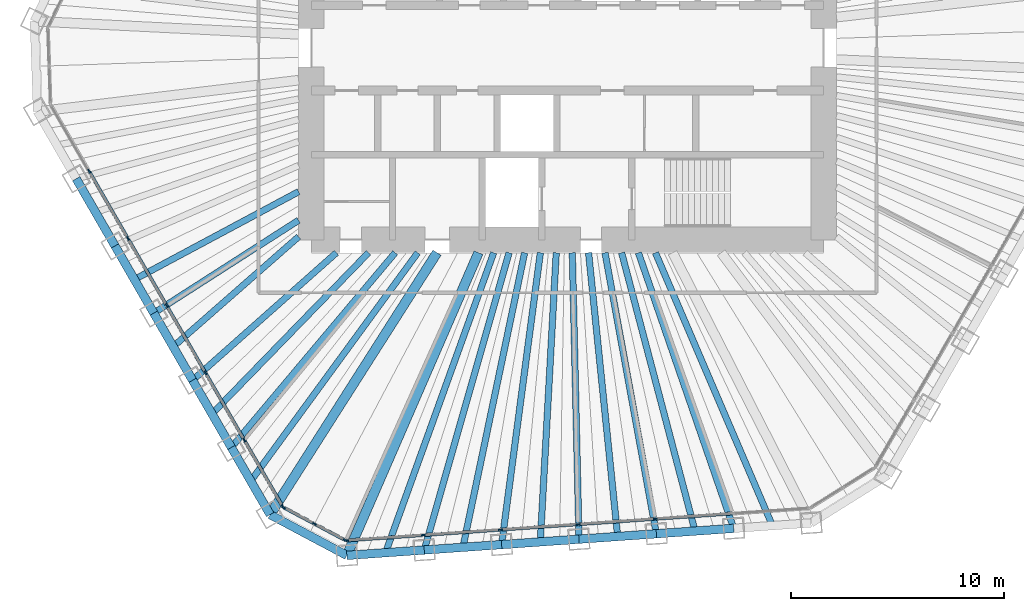
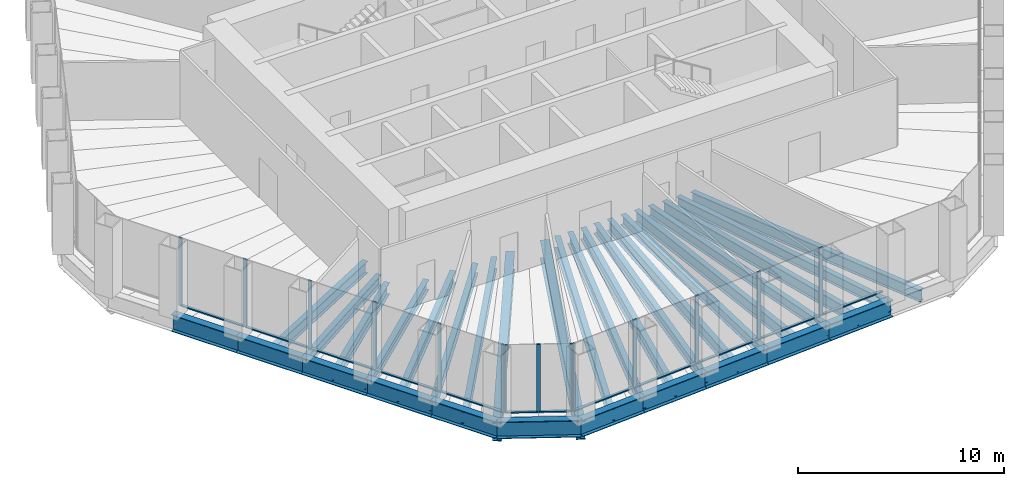
# One storey, part 2 of 13: 31 beams, 26 members, 3 elements without a shape of their own.
"""IFC4 building model written with IfcOpenShell, lengths in metres."""

import ifcopenshell
import ifcopenshell.guid

model = None  # the IFC model being written
_history = None  # IfcOwnerHistory: only IFC2X3 demands one
_inside = {}  # id of a spatial element -> (the spatial element, [elements in it])
_under = {}  # id of a project, library or spatial element -> (it, [spatial elements below it])
_declared = {}  # id of a project -> (the project, [libraries it declares])
_typed = {}  # id of a type object -> (the type object, [elements of that type])
_made_of = {}  # id of a material, layer set ... -> (it, [elements and type objects made of it])


def new_model(schema):
    """Start an empty IFC model of exactly this schema.

    Asked for "IFC4X3", IfcOpenShell would pick the latest addendum, in which some entities
    have other attributes; the version numbers below select the first issue.
    IFC2X3 requires an IfcOwnerHistory on every rooted entity: one is made here for all.
    """
    global model, _history
    if schema == "IFC4X3":
        model = ifcopenshell.file(schema_version=(4, 3, 0, 0))
    else:
        model = ifcopenshell.file(schema=schema)
    _inside.clear()
    _under.clear()
    _declared.clear()
    _typed.clear()
    _made_of.clear()
    _history = None
    if model.schema == "IFC2X3":
        org = make("IfcOrganization", Name="unknown")
        user = make(
            "IfcPersonAndOrganization",
            ThePerson=make("IfcPerson", FamilyName="unknown"),
            TheOrganization=org,
        )
        app = make(
            "IfcApplication",
            ApplicationDeveloper=org,
            Version="unknown",
            ApplicationFullName="unknown",
            ApplicationIdentifier="unknown",
        )
        _history = make(
            "IfcOwnerHistory",
            OwningUser=user,
            OwningApplication=app,
            ChangeAction="ADDED",
            CreationDate=0,
        )
    return model


def make(cls, **values):
    """One entity of the class cls with the attributes given. An attribute that is None is left unset."""
    return model.create_entity(
        cls, **{name: value for name, value in values.items() if value is not None}
    )


def rooted(cls, **values):
    """An entity with a GlobalId (a new one), such as an element, a storey or a relation."""
    return make(cls, GlobalId=ifcopenshell.guid.new(), OwnerHistory=_history, **values)


def si_unit(unit_type, name, prefix=None):
    """IfcSIUnit, for example si_unit("LENGTHUNIT", "METRE", prefix="MILLI")."""
    return make("IfcSIUnit", UnitType=unit_type, Prefix=prefix, Name=name)


def assignment(units):
    """IfcUnitAssignment: the units of a project."""
    return None if units is None else make("IfcUnitAssignment", Units=units)


def point(xyz):
    """IfcCartesianPoint."""
    return None if xyz is None else make("IfcCartesianPoint", Coordinates=xyz)


def direction(xyz):
    """IfcDirection."""
    return None if xyz is None else make("IfcDirection", DirectionRatios=xyz)


def frame(location, z_axis=None, x_axis=None):
    """IfcAxis2Placement3D, a coordinate frame: its origin and axes. An axis left out is left unset."""
    return make(
        "IfcAxis2Placement3D",
        Location=point(location),
        Axis=direction(z_axis),
        RefDirection=direction(x_axis),
    )


def frame_2d(location, x_axis=None):
    """IfcAxis2Placement2D, a coordinate frame in the plane: its origin and x axis."""
    return make(
        "IfcAxis2Placement2D", Location=point(location), RefDirection=direction(x_axis)
    )


def origin():
    """The frame at (0, 0, 0) with its axes left unset."""
    return frame((0.0, 0.0, 0.0))


def origin_2d():
    """The frame at (0, 0) in the plane with its x axis left unset."""
    return frame_2d((0.0, 0.0))


def place(relative_to, where):
    """IfcLocalPlacement: puts the frame where relative to a parent placement (None: the world)."""
    return make(
        "IfcLocalPlacement", PlacementRelTo=relative_to, RelativePlacement=where
    )


def context(
    kind, dimensions, precision=None, world=None, true_north=None, identifier=None
):
    """IfcGeometricRepresentationContext, for example the 3D "Model" context."""
    return make(
        "IfcGeometricRepresentationContext",
        ContextIdentifier=identifier,
        ContextType=kind,
        CoordinateSpaceDimension=dimensions,
        Precision=precision,
        WorldCoordinateSystem=world,
        TrueNorth=true_north,
    )


def subcontext(parent, identifier, kind, view, scale=None):
    """IfcGeometricRepresentationSubContext, for example "Body" below "Model"."""
    return make(
        "IfcGeometricRepresentationSubContext",
        ContextIdentifier=identifier,
        ContextType=kind,
        ParentContext=parent,
        TargetScale=scale,
        TargetView=view,
    )


def project(units=None, contexts=None):
    """IfcProject with its units and contexts."""
    return rooted(
        "IfcProject",
        Name="project",
        RepresentationContexts=contexts,
        UnitsInContext=assignment(units),
    )


def spatial(cls, under=None, at=None, **own):
    """A site, building, storey or space (cls), placed at a placement, below another one or the project."""
    s = rooted(cls, ObjectPlacement=at, **own)
    if under is not None:
        _under.setdefault(under.id(), (under, []))[1].append(s)
    return s


def profile(cls, at=None, kind="AREA", **sizes):
    """A parametric profile (cls). Its sizes go by their IFC names, for example OverallWidth=200.0."""
    return make(cls, ProfileType=kind, Position=at, **sizes)


def rectangle(**sizes):
    """IfcRectangleProfileDef."""
    return profile("IfcRectangleProfileDef", **sizes)


def i_section(**sizes):
    """IfcIShapeProfileDef."""
    return profile("IfcIShapeProfileDef", **sizes)


def extrude(swept, where, along, depth):
    """IfcExtrudedAreaSolid: the profile swept, set in the frame where, extruded along a direction by depth."""
    return make(
        "IfcExtrudedAreaSolid",
        SweptArea=swept,
        Position=where,
        ExtrudedDirection=direction(along),
        Depth=depth,
    )


def shape(context_of_items, identifier, shape_type, items):
    """IfcShapeRepresentation: the items that make up one representation, for example the "Body"."""
    return make(
        "IfcShapeRepresentation",
        ContextOfItems=context_of_items,
        RepresentationIdentifier=identifier,
        RepresentationType=shape_type,
        Items=items,
    )


def material(Name=None, Category=None):
    """IfcMaterial."""
    return make("IfcMaterial", Name=Name, Category=Category)


def material_profile(
    of_material, cross_section, Name=None, Category=None, Priority=None
):
    """IfcMaterialProfile: a cross section and its material."""
    return make(
        "IfcMaterialProfile",
        Name=Name,
        Material=of_material,
        Profile=cross_section,
        Priority=Priority,
        Category=Category,
    )


def profile_set(profiles, Name=None, composite=None):
    """IfcMaterialProfileSet."""
    return make(
        "IfcMaterialProfileSet",
        Name=Name,
        MaterialProfiles=profiles,
        CompositeProfile=composite,
    )


def made_of(thing, what):
    """Note that an element or type object is made of a material, layer set ...; save() writes the relation."""
    if what is not None:
        _made_of.setdefault(what.id(), (what, []))[1].append(thing)
    return thing


def type_object(cls, material=None, **own):
    """A type object (cls), such as IfcWallType, which elements share."""
    return made_of(rooted(cls, **own), material)


def element(
    cls,
    number,
    at=None,
    inside=None,
    cuts=None,
    type_object=None,
    material=None,
    context=None,
    identifier="Body",
    shape_type=None,
    held_by="IfcProductDefinitionShape",
    body=None,
    shapes=None,
    **own,
):
    """One element of the class cls, such as IfcWall. Its Tag is "e" and its number.

    at: its placement. inside: the storey or other place that contains it. cuts: it is an
    opening in that element (IfcRelVoidsElement). A single representation is given by context,
    identifier, shape_type and body (its items); several are given by shapes. held_by: the class
    of the entity that holds the representations. save() writes the other relations.
    """
    e = rooted(cls, Tag="e%d" % number, ObjectPlacement=at, **own)
    if body is not None:
        shapes = [shape(context, identifier, shape_type, body)]
    if shapes is not None:
        e.Representation = make(held_by, Representations=shapes)
    if inside is not None:
        _inside.setdefault(inside.id(), (inside, []))[1].append(e)
    if cuts is not None:
        rooted(
            "IfcRelVoidsElement", RelatingBuildingElement=cuts, RelatedOpeningElement=e
        )
    if type_object is not None:
        _typed.setdefault(type_object.id(), (type_object, []))[1].append(e)
    return made_of(e, material)


def aggregate(whole, parts):
    """IfcRelAggregates: a whole, such as a stair, and the parts it consists of."""
    return rooted("IfcRelAggregates", RelatingObject=whole, RelatedObjects=parts)


def save(model, path):
    """Write the relations noted so far, then the file.

    IfcRelAggregates (storeys below a building ...), IfcRelContainedInSpatialStructure (elements
    in a storey), IfcRelDefinesByType, IfcRelAssociatesMaterial and IfcRelDeclares: one each for
    every whole, place, type object, material and project.
    """
    for whole, parts in _under.values():
        aggregate(whole, parts)
    for where, things in _inside.values():
        rooted(
            "IfcRelContainedInSpatialStructure",
            RelatedElements=things,
            RelatingStructure=where,
        )
    for kind, things in _typed.values():
        rooted("IfcRelDefinesByType", RelatedObjects=things, RelatingType=kind)
    for what, things in _made_of.values():
        rooted("IfcRelAssociatesMaterial", RelatedObjects=things, RelatingMaterial=what)
    for by, libraries in _declared.values():
        rooted("IfcRelDeclares", RelatingContext=by, RelatedDefinitions=libraries)
    model.write(path)


model = new_model("IFC4")

# Units and contexts
model_context = context("Model", 3, precision=1e-05, world=origin(), true_north=direction((0.0, 1.0)))
body_context = subcontext(model_context, "Body", "Model", "MODEL_VIEW")
ifc_project = project(units=[si_unit("LENGTHUNIT", "METRE"), si_unit("AREAUNIT", "SQUARE_METRE"), si_unit("VOLUMEUNIT", "CUBIC_METRE"), si_unit("PLANEANGLEUNIT", "RADIAN"), si_unit("MASSUNIT", "GRAM", prefix="KILO")], contexts=[model_context])

# Site, building, storey
site_placement = place(None, origin())
site = spatial("IfcSite", under=ifc_project, at=site_placement, CompositionType="ELEMENT")
building_placement = place(site_placement, origin())
building = spatial("IfcBuilding", under=site, at=building_placement, Name="Qingtian Harvest Tower", CompositionType="ELEMENT")
storey_placement = place(building_placement, frame((0.0, 0.0, 226.60009765625)))
storey = spatial("IfcBuildingStorey", under=building, at=storey_placement, Name="L49", CompositionType="ELEMENT", Elevation=226.60009765625)

# Beams
ifc_material_1 = material(Name="Steel SM570MC", Category="steel")
ifc_material_profile_1 = material_profile(ifc_material_1, i_section(OverallWidth=0.449951171875, OverallDepth=1.10009765625, WebThickness=0.02197265625, FlangeThickness=0.044921875, at=origin_2d()), Name="H1100x450x22x45")
ifc_profile_set_1 = profile_set([ifc_material_profile_1], Name="Steel SM570MC")
beam_type_1 = type_object("IfcBeamType", Name="Corner floor beam FB8 H1100x450x22x45", PredefinedType="BEAM", material=ifc_profile_set_1)
beam_1_placement = place(storey_placement, frame((-10.33837890625, -23.779052734375, -0.72021484375), z_axis=(0.398714563353, 0.917075077063, 0.0), x_axis=(-0.917075077063, 0.398714563353, 0.0)))
element("IfcBeam", 1, at=beam_1_placement, inside=storey, type_object=beam_type_1, Name="Floor beam FB8 S6", PredefinedType="BEAM", context=body_context, shape_type="SweptSolid", body=[
    extrude(i_section(OverallWidth=0.449951171875, OverallDepth=1.10009765625, WebThickness=0.02197265625, FlangeThickness=0.044921875, at=origin_2d()), origin(), (0.0, 0.0, 1.0), 15.461181640625),
])
beam_2_placement = place(storey_placement, frame((-13.9326171875, -21.8681640625, -0.72021484375), z_axis=(0.537326103898, 0.8433745657, 0.0), x_axis=(-0.8433745657, 0.537326103898, 0.0)))
element("IfcBeam", 2, at=beam_2_placement, inside=storey, type_object=beam_type_1, Name="Floor beam FB8 SW0", PredefinedType="BEAM", context=body_context, shape_type="SweptSolid", body=[
    extrude(i_section(OverallWidth=0.449951171875, OverallDepth=1.10009765625, WebThickness=0.02197265625, FlangeThickness=0.044921875, at=origin_2d()), origin(), (0.0, 0.0, 1.0), 14.54638671875),
])
ifc_material_2 = material(Name="Steel SN490B", Category="steel")
ifc_material_profile_2 = material_profile(ifc_material_2, i_section(OverallWidth=0.300048828125, OverallDepth=0.699951171875, WebThickness=0.012939453125, FlangeThickness=0.02392578125, at=origin_2d()), Name="H700x300x13x24")
ifc_profile_set_2 = profile_set([ifc_material_profile_2], Name="Steel SN490B")
beam_type_2 = type_object("IfcBeamType", Name="Floor beam FB2 H700x300x13x24", PredefinedType="BEAM", material=ifc_profile_set_2)
beam_3_placement = place(storey_placement, frame((-6.713623046875, -23.525634765625, -0.52001953125), z_axis=(0.274411610503, 0.961612327303, 0.0), x_axis=(-0.961612327303, 0.274411610503, 0.0)))
element("IfcBeam", 3, at=beam_3_placement, inside=storey, type_object=beam_type_2, Name="Floor beam FB2 S5", PredefinedType="BEAM", context=body_context, shape_type="SweptSolid", body=[
    extrude(i_section(OverallWidth=0.300048828125, OverallDepth=0.699951171875, WebThickness=0.012939453125, FlangeThickness=0.02392578125, at=origin_2d()), origin(), (0.0, 0.0, 1.0), 14.4814453125),
])
ifc_material_3 = material(Name="Steel SN490B", Category="steel")
ifc_material_profile_3 = material_profile(ifc_material_3, i_section(OverallWidth=0.300048828125, OverallDepth=0.60009765625, WebThickness=0.011962890625, FlangeThickness=0.02001953125, at=origin_2d()), Name="H600x300x12x20")
ifc_profile_set_3 = profile_set([ifc_material_profile_3], Name="Steel SN490B")
beam_type_3 = type_object("IfcBeamType", Name="Floor beam FB3 H600x300x12x20", PredefinedType="BEAM", material=ifc_profile_set_3)
beam_4_placement = place(storey_placement, frame((7.78515625, -22.51171875, -0.47021484375), z_axis=(-0.326844175409, 0.945078242793, 0.0), x_axis=(-0.945078242793, -0.326844175409, 0.0)))
element("IfcBeam", 4, at=beam_4_placement, inside=storey, type_object=beam_type_3, Name="Floor beam FB3 S1", PredefinedType="BEAM", context=body_context, shape_type="SweptSolid", body=[
    extrude(i_section(OverallWidth=0.300048828125, OverallDepth=0.60009765625, WebThickness=0.011962890625, FlangeThickness=0.02001953125, at=origin_2d()), origin(), (0.0, 0.0, 1.0), 13.661865234375),
])
beam_5_placement = place(storey_placement, frame((4.160400390625, -22.76513671875, -0.47021484375), z_axis=(-0.179779537209, 0.983706926885, 0.0), x_axis=(-0.983706926885, -0.179779537209, 0.0)))
element("IfcBeam", 5, at=beam_5_placement, inside=storey, type_object=beam_type_3, Name="Floor beam FB3 S2", PredefinedType="BEAM", context=body_context, shape_type="SweptSolid", body=[
    extrude(i_section(OverallWidth=0.300048828125, OverallDepth=0.60009765625, WebThickness=0.011962890625, FlangeThickness=0.02001953125, at=origin_2d()), origin(), (0.0, 0.0, 1.0), 13.383056640625),
])
beam_6_placement = place(storey_placement, frame((0.53564453125, -23.018798828125, -0.47021484375), z_axis=(-0.023263902078, 0.999729358807, 0.0), x_axis=(-0.999729358807, -0.023263902078, 0.0)))
element("IfcBeam", 6, at=beam_6_placement, inside=storey, type_object=beam_type_3, Name="Floor beam FB3 S3", PredefinedType="BEAM", context=body_context, shape_type="SweptSolid", body=[
    extrude(i_section(OverallWidth=0.300048828125, OverallDepth=0.60009765625, WebThickness=0.011962890625, FlangeThickness=0.02001953125, at=origin_2d()), origin(), (0.0, 0.0, 1.0), 13.42236328125),
])
beam_7_placement = place(storey_placement, frame((-3.089111328125, -23.272216796875, -0.47021484375), z_axis=(0.131593229442, 0.991303799027, 0.0), x_axis=(-0.991303799027, 0.131593229442, 0.0)))
element("IfcBeam", 7, at=beam_7_placement, inside=storey, type_object=beam_type_3, Name="Floor beam FB3 S4", PredefinedType="BEAM", context=body_context, shape_type="SweptSolid", body=[
    extrude(i_section(OverallWidth=0.300048828125, OverallDepth=0.60009765625, WebThickness=0.011962890625, FlangeThickness=0.02001953125, at=origin_2d()), origin(), (0.0, 0.0, 1.0), 13.7919921875),
])
beam_8_placement = place(storey_placement, frame((-15.749267578125, -18.72119140625, -0.47021484375), z_axis=(0.643763532906, 0.765224485821, 0.0), x_axis=(-0.765224485821, 0.643763532906, 0.0)))
element("IfcBeam", 8, at=beam_8_placement, inside=storey, type_object=beam_type_3, Name="Floor beam FB3 SW1", PredefinedType="BEAM", context=body_context, shape_type="SweptSolid", body=[
    extrude(i_section(OverallWidth=0.300048828125, OverallDepth=0.60009765625, WebThickness=0.011962890625, FlangeThickness=0.02001953125, at=origin_2d()), origin(), (0.0, 0.0, 1.0), 11.91943359375),
])
beam_9_placement = place(storey_placement, frame((-17.566162109375, -15.574462890625, -0.47021484375), z_axis=(0.748259768664, 0.663405847577, 0.0), x_axis=(-0.663405847577, 0.748259768664, 0.0)))
element("IfcBeam", 9, at=beam_9_placement, inside=storey, type_object=beam_type_3, Name="Floor beam FB3 SW2", PredefinedType="BEAM", context=body_context, shape_type="SweptSolid", body=[
    extrude(i_section(OverallWidth=0.300048828125, OverallDepth=0.60009765625, WebThickness=0.011962890625, FlangeThickness=0.02001953125, at=origin_2d()), origin(), (0.0, 0.0, 1.0), 9.005615234375),
])
beam_10_placement = place(storey_placement, frame((-19.3828125, -12.427734375, -0.47021484375), z_axis=(0.841823714388, 0.539752567288, 0.0), x_axis=(-0.539752567288, 0.841823714388, 0.0)))
element("IfcBeam", 10, at=beam_10_placement, inside=storey, type_object=beam_type_3, Name="Floor beam FB3 SW3", PredefinedType="BEAM", context=body_context, shape_type="SweptSolid", body=[
    extrude(i_section(OverallWidth=0.300048828125, OverallDepth=0.60009765625, WebThickness=0.011962890625, FlangeThickness=0.02001953125, at=origin_2d()), origin(), (0.0, 0.0, 1.0), 8.05712890625),
])
ifc_material_4 = material(Name="Steel SN490B", Category="steel")
ifc_material_profile_4 = material_profile(ifc_material_4, i_section(OverallWidth=0.300048828125, OverallDepth=0.699951171875, WebThickness=0.012939453125, FlangeThickness=0.02392578125, at=origin_2d()), Name="H700x300x13x24")
ifc_profile_set_4 = profile_set([ifc_material_profile_4], Name="Steel SN490B")
beam_type_4 = type_object("IfcBeamType", Name="Floor joist J2 H700x300x13x24", PredefinedType="JOIST", material=ifc_profile_set_4)
beam_11_placement = place(storey_placement, frame((9.597412109375, -22.385009765625, -0.52001953125), z_axis=(-0.394052741766, 0.919087828614, 0.0), x_axis=(-0.919087828614, -0.394052741766, 0.0)))
element("IfcBeam", 11, at=beam_11_placement, inside=storey, type_object=beam_type_4, Name="Floor joist J2 S0", PredefinedType="JOIST", context=body_context, shape_type="SweptSolid", body=[
    extrude(i_section(OverallWidth=0.300048828125, OverallDepth=0.699951171875, WebThickness=0.012939453125, FlangeThickness=0.02392578125, at=origin_2d()), origin(), (0.0, 0.0, 1.0), 13.910400390625),
])
beam_12_placement = place(storey_placement, frame((5.97265625, -22.638427734375, -0.52001953125), z_axis=(-0.255103716232, 0.9669136952, 0.0), x_axis=(-0.9669136952, -0.255103716232, 0.0)))
element("IfcBeam", 12, at=beam_12_placement, inside=storey, type_object=beam_type_4, Name="Floor joist J2 S1", PredefinedType="JOIST", context=body_context, shape_type="SweptSolid", body=[
    extrude(i_section(OverallWidth=0.300048828125, OverallDepth=0.699951171875, WebThickness=0.012939453125, FlangeThickness=0.02392578125, at=origin_2d()), origin(), (0.0, 0.0, 1.0), 13.484375),
])
beam_13_placement = place(storey_placement, frame((2.347900390625, -22.89208984375, -0.52001953125), z_axis=(-0.102028865499, 0.994781438611, 0.0), x_axis=(-0.994781438611, -0.102028865499, 0.0)))
element("IfcBeam", 13, at=beam_13_placement, inside=storey, type_object=beam_type_4, Name="Floor joist J2 S2", PredefinedType="JOIST", context=body_context, shape_type="SweptSolid", body=[
    extrude(i_section(OverallWidth=0.300048828125, OverallDepth=0.699951171875, WebThickness=0.012939453125, FlangeThickness=0.02392578125, at=origin_2d()), origin(), (0.0, 0.0, 1.0), 13.36181640625),
])
beam_14_placement = place(storey_placement, frame((-1.276611328125, -23.1455078125, -0.52001953125), z_axis=(0.055069329716, 0.998482533109, 0.0), x_axis=(-0.998482533109, 0.055069329716, 0.0)))
element("IfcBeam", 14, at=beam_14_placement, inside=storey, type_object=beam_type_4, Name="Floor joist J2 S3", PredefinedType="JOIST", context=body_context, shape_type="SweptSolid", body=[
    extrude(i_section(OverallWidth=0.300048828125, OverallDepth=0.699951171875, WebThickness=0.012939453125, FlangeThickness=0.02392578125, at=origin_2d()), origin(), (0.0, 0.0, 1.0), 13.56591796875),
])
beam_15_placement = place(storey_placement, frame((-4.9013671875, -23.39892578125, -0.52001953125), z_axis=(0.205016322093, 0.978758554331, 0.0), x_axis=(-0.978758554331, 0.205016322093, 0.0)))
element("IfcBeam", 15, at=beam_15_placement, inside=storey, type_object=beam_type_4, Name="Floor joist J2 S4", PredefinedType="JOIST", context=body_context, shape_type="SweptSolid", body=[
    extrude(i_section(OverallWidth=0.300048828125, OverallDepth=0.699951171875, WebThickness=0.012939453125, FlangeThickness=0.02392578125, at=origin_2d()), origin(), (0.0, 0.0, 1.0), 14.098388671875),
])
beam_16_placement = place(storey_placement, frame((-8.526123046875, -23.65234375, -0.52001953125), z_axis=(0.339126305921, 0.940740850943, 0.0), x_axis=(-0.940740850943, 0.339126305921, 0.0)))
element("IfcBeam", 16, at=beam_16_placement, inside=storey, type_object=beam_type_4, Name="Floor joist J2 S5", PredefinedType="JOIST", context=body_context, shape_type="SweptSolid", body=[
    extrude(i_section(OverallWidth=0.300048828125, OverallDepth=0.699951171875, WebThickness=0.012939453125, FlangeThickness=0.02392578125, at=origin_2d()), origin(), (0.0, 0.0, 1.0), 14.9375),
])
beam_17_placement = place(storey_placement, frame((-14.841064453125, -20.294677734375, -0.52001953125), z_axis=(0.590288677526, 0.807192218238, 0.0), x_axis=(-0.807192218238, 0.590288677526, 0.0)))
element("IfcBeam", 17, at=beam_17_placement, inside=storey, type_object=beam_type_4, Name="Floor joist J2 SW0", PredefinedType="JOIST", context=body_context, shape_type="SweptSolid", body=[
    extrude(i_section(OverallWidth=0.300048828125, OverallDepth=0.699951171875, WebThickness=0.012939453125, FlangeThickness=0.02392578125, at=origin_2d()), origin(), (0.0, 0.0, 1.0), 13.2490234375),
])
beam_18_placement = place(storey_placement, frame((-16.65771484375, -17.14794921875, -0.52001953125), z_axis=(0.696777499009, 0.717287332158, 0.0), x_axis=(-0.717287332158, 0.696777499009, 0.0)))
element("IfcBeam", 18, at=beam_18_placement, inside=storey, type_object=beam_type_4, Name="Floor joist J2 SW1", PredefinedType="JOIST", context=body_context, shape_type="SweptSolid", body=[
    extrude(i_section(OverallWidth=0.300048828125, OverallDepth=0.699951171875, WebThickness=0.012939453125, FlangeThickness=0.02392578125, at=origin_2d()), origin(), (0.0, 0.0, 1.0), 10.522705078125),
])
beam_19_placement = place(storey_placement, frame((-18.474609375, -14.001220703125, -0.52001953125), z_axis=(0.751883296969, 0.659296221542, 0.0), x_axis=(-0.659296221542, 0.751883296969, 0.0)))
element("IfcBeam", 19, at=beam_19_placement, inside=storey, type_object=beam_type_4, Name="Floor joist J2 SW2", PredefinedType="JOIST", context=body_context, shape_type="SweptSolid", body=[
    extrude(i_section(OverallWidth=0.300048828125, OverallDepth=0.699951171875, WebThickness=0.012939453125, FlangeThickness=0.02392578125, at=origin_2d()), origin(), (0.0, 0.0, 1.0), 7.81298828125),
])
beam_20_placement = place(storey_placement, frame((-20.291259765625, -10.8544921875, -0.52001953125), z_axis=(0.881766503154, 0.471686160402, 0.0), x_axis=(-0.471686160402, 0.881766503154, 0.0)))
element("IfcBeam", 20, at=beam_20_placement, inside=storey, type_object=beam_type_4, Name="Floor joist J2 SW3", PredefinedType="JOIST", context=body_context, shape_type="SweptSolid", body=[
    extrude(i_section(OverallWidth=0.300048828125, OverallDepth=0.699951171875, WebThickness=0.012939453125, FlangeThickness=0.02392578125, at=origin_2d()), origin(), (0.0, 0.0, 1.0), 8.722412109375),
])

# Curtain wall, members
ifc_material_5 = material(Name="Bronze-anodised aluminium curtain wall", Category="aluminium")
curtain_wall_type = type_object("IfcCurtainWallType", Name="Curtain wall CW4 office", PredefinedType="USERDEFINED", material=ifc_material_5)
curtain_wall_1_placement = place(storey_placement, origin())
curtain_wall_1 = element("IfcCurtainWall", 21, at=curtain_wall_1_placement, inside=storey, type_object=curtain_wall_type, Name="Curtain wall CW4 L49 S0-5", ObjectType="RECESSED CURTAIN WALL", PredefinedType="USERDEFINED")
ifc_material_6 = material(Name="Bronze-anodised aluminium mullion", Category="aluminium")
ifc_material_profile_5 = material_profile(ifc_material_6, rectangle(XDim=0.06494140625, YDim=0.199951171875, at=origin_2d()), Name="AL 65x200")
ifc_profile_set_5 = profile_set([ifc_material_profile_5], Name="Bronze-anodised aluminium mullion")
member_type_1 = type_object("IfcMemberType", Name="Mullion CWM 65x200", PredefinedType="MULLION", material=ifc_profile_set_5)
member_1_placement = place(storey_placement, frame((4.111572265625, -22.06689453125, 0.0), z_axis=(0.0, 0.0, 1.0), x_axis=(0.069756473744, -0.99756405026, 0.0)))
member_1 = element("IfcMember", 22, at=member_1_placement, type_object=member_type_1, Name="CW4 mullion 3", PredefinedType="MULLION", context=body_context, shape_type="SweptSolid", body=[
    extrude(rectangle(XDim=0.06494140625, YDim=0.199951171875, at=origin_2d()), origin(), (0.0, 0.0, 1.0), 4.02978515625),
])
member_2_placement = place(storey_placement, frame((0.48681640625, -22.3203125, 0.0), z_axis=(0.0, 0.0, 1.0), x_axis=(0.069756473744, -0.99756405026, 0.0)))
member_2 = element("IfcMember", 23, at=member_2_placement, type_object=member_type_1, Name="CW4 mullion 4", PredefinedType="MULLION", context=body_context, shape_type="SweptSolid", body=[
    extrude(rectangle(XDim=0.06494140625, YDim=0.199951171875, at=origin_2d()), origin(), (0.0, 0.0, 1.0), 4.02978515625),
])
member_3_placement = place(storey_placement, frame((-3.137939453125, -22.573974609375, 0.0), z_axis=(0.0, 0.0, 1.0), x_axis=(0.069756473744, -0.99756405026, 0.0)))
member_3 = element("IfcMember", 24, at=member_3_placement, type_object=member_type_1, Name="CW4 mullion 5", PredefinedType="MULLION", context=body_context, shape_type="SweptSolid", body=[
    extrude(rectangle(XDim=0.06494140625, YDim=0.199951171875, at=origin_2d()), origin(), (0.0, 0.0, 1.0), 4.02978515625),
])
member_4_placement = place(storey_placement, frame((-6.762451171875, -22.827392578125, 0.0), z_axis=(0.0, 0.0, 1.0), x_axis=(0.069756473744, -0.99756405026, 0.0)))
member_4 = element("IfcMember", 25, at=member_4_placement, type_object=member_type_1, Name="CW4 mullion 6", PredefinedType="MULLION", context=body_context, shape_type="SweptSolid", body=[
    extrude(rectangle(XDim=0.06494140625, YDim=0.199951171875, at=origin_2d()), origin(), (0.0, 0.0, 1.0), 4.02978515625),
])
member_5_placement = place(storey_placement, frame((-10.354736328125, -23.07861328125, 0.0), z_axis=(0.0, 0.0, 1.0), x_axis=(0.069756473744, -0.99756405026, 0.0)))
member_5 = element("IfcMember", 26, at=member_5_placement, type_object=member_type_1, Name="CW4 mullion 7", PredefinedType="MULLION", context=body_context, shape_type="SweptSolid", body=[
    extrude(rectangle(XDim=0.06494140625, YDim=0.199951171875, at=origin_2d()), origin(), (0.0, 0.0, 1.0), 4.02978515625),
])

curtain_wall_2_placement = place(storey_placement, origin())
curtain_wall_2 = element("IfcCurtainWall", 27, at=curtain_wall_2_placement, inside=storey, type_object=curtain_wall_type, Name="Curtain wall CW4 L49 SC", ObjectType="RECESSED CURTAIN WALL", PredefinedType="USERDEFINED")
member_6_placement = place(storey_placement, frame((-10.416015625, -23.0654296875, 0.0), z_axis=(0.0, 0.0, 1.0), x_axis=(-0.469471562786, -0.882947592859, 0.0)))
member_6 = element("IfcMember", 28, at=member_6_placement, type_object=member_type_1, Name="CW4 mullion 1", PredefinedType="MULLION", context=body_context, shape_type="SweptSolid", body=[
    extrude(rectangle(XDim=0.06494140625, YDim=0.199951171875, at=origin_2d()), origin(), (0.0, 0.0, 1.0), 4.02978515625),
])
member_7_placement = place(storey_placement, frame((-11.85693359375, -22.29931640625, 0.0), z_axis=(0.0, 0.0, 1.0), x_axis=(-0.469471562786, -0.882947592859, 0.0)))
member_7 = element("IfcMember", 29, at=member_7_placement, type_object=member_type_1, Name="CW4 mullion 2", PredefinedType="MULLION", context=body_context, shape_type="SweptSolid", body=[
    extrude(rectangle(XDim=0.06494140625, YDim=0.199951171875, at=origin_2d()), origin(), (0.0, 0.0, 1.0), 4.02978515625),
])
member_8_placement = place(storey_placement, frame((-13.297607421875, -21.533203125, 0.0), z_axis=(0.0, 0.0, 1.0), x_axis=(-0.469471562786, -0.882947592859, 0.0)))
member_8 = element("IfcMember", 30, at=member_8_placement, type_object=member_type_1, Name="CW4 mullion 3", PredefinedType="MULLION", context=body_context, shape_type="SweptSolid", body=[
    extrude(rectangle(XDim=0.06494140625, YDim=0.199951171875, at=origin_2d()), origin(), (0.0, 0.0, 1.0), 4.02978515625),
])

curtain_wall_3_placement = place(storey_placement, origin())
curtain_wall_3 = element("IfcCurtainWall", 31, at=curtain_wall_3_placement, inside=storey, type_object=curtain_wall_type, Name="Curtain wall CW4 L49 SW0-5", ObjectType="RECESSED CURTAIN WALL", PredefinedType="USERDEFINED")
member_9_placement = place(storey_placement, frame((-13.342529296875, -21.489990234375, 0.0), z_axis=(0.0, 0.0, 1.0), x_axis=(-0.866025403784, -0.5, 0.0)))
member_9 = element("IfcMember", 32, at=member_9_placement, type_object=member_type_1, Name="CW4 mullion 1", PredefinedType="MULLION", context=body_context, shape_type="SweptSolid", body=[
    extrude(rectangle(XDim=0.06494140625, YDim=0.199951171875, at=origin_2d()), origin(), (0.0, 0.0, 1.0), 4.02978515625),
])
member_10_placement = place(storey_placement, frame((-15.14306640625, -18.371337890625, 0.0), z_axis=(0.0, 0.0, 1.0), x_axis=(-0.866025403784, -0.5, 0.0)))
member_10 = element("IfcMember", 33, at=member_10_placement, type_object=member_type_1, Name="CW4 mullion 2", PredefinedType="MULLION", context=body_context, shape_type="SweptSolid", body=[
    extrude(rectangle(XDim=0.06494140625, YDim=0.199951171875, at=origin_2d()), origin(), (0.0, 0.0, 1.0), 4.02978515625),
])
member_11_placement = place(storey_placement, frame((-16.9599609375, -15.224609375, 0.0), z_axis=(0.0, 0.0, 1.0), x_axis=(-0.866025403784, -0.5, 0.0)))
member_11 = element("IfcMember", 34, at=member_11_placement, type_object=member_type_1, Name="CW4 mullion 3", PredefinedType="MULLION", context=body_context, shape_type="SweptSolid", body=[
    extrude(rectangle(XDim=0.06494140625, YDim=0.199951171875, at=origin_2d()), origin(), (0.0, 0.0, 1.0), 4.02978515625),
])
member_12_placement = place(storey_placement, frame((-18.776611328125, -12.077880859375, 0.0), z_axis=(0.0, 0.0, 1.0), x_axis=(-0.866025403784, -0.5, 0.0)))
member_12 = element("IfcMember", 35, at=member_12_placement, type_object=member_type_1, Name="CW4 mullion 4", PredefinedType="MULLION", context=body_context, shape_type="SweptSolid", body=[
    extrude(rectangle(XDim=0.06494140625, YDim=0.199951171875, at=origin_2d()), origin(), (0.0, 0.0, 1.0), 4.02978515625),
])
member_13_placement = place(storey_placement, frame((-20.593505859375, -8.93115234375, 0.0), z_axis=(0.0, 0.0, 1.0), x_axis=(-0.866025403784, -0.5, 0.0)))
member_13 = element("IfcMember", 36, at=member_13_placement, type_object=member_type_1, Name="CW4 mullion 5", PredefinedType="MULLION", context=body_context, shape_type="SweptSolid", body=[
    extrude(rectangle(XDim=0.06494140625, YDim=0.199951171875, at=origin_2d()), origin(), (0.0, 0.0, 1.0), 4.02978515625),
])
member_14_placement = place(storey_placement, frame((-22.41015625, -5.784423828125, 0.0), z_axis=(0.0, 0.0, 1.0), x_axis=(-0.866025403784, -0.5, 0.0)))
member_14 = element("IfcMember", 37, at=member_14_placement, type_object=member_type_1, Name="CW4 mullion 6", PredefinedType="MULLION", context=body_context, shape_type="SweptSolid", body=[
    extrude(rectangle(XDim=0.06494140625, YDim=0.199951171875, at=origin_2d()), origin(), (0.0, 0.0, 1.0), 4.02978515625),
])

# Beams
ifc_material_7 = material(Name="Steel SN490B", Category="steel")
ifc_material_profile_6 = material_profile(ifc_material_7, i_section(OverallWidth=0.39990234375, OverallDepth=1.0, WebThickness=0.01904296875, FlangeThickness=0.035888671875, at=origin_2d()), Name="H1000x400x19x36")
ifc_profile_set_6 = profile_set([ifc_material_profile_6], Name="Steel SN490B")
beam_type_5 = type_object("IfcBeamType", Name="Spandrel beam SB3 H1000x400x19x36", PredefinedType="SPANDREL", material=ifc_profile_set_6)
for number, where, z_axis, x_axis, name in (
    (38, (7.78515625, -22.51171875, -0.5), (-0.997565001055, -0.069742875402, 0.0), (0.069742875402, -0.997565001055, 0.0), "Spandrel SB3 S1"),
    (39, (4.160400390625, -22.76513671875, -0.5), (-0.997560324246, -0.069809737785, 0.0), (0.069809737785, -0.997560324246, 0.0), "Spandrel SB3 S2"),
    (40, (0.53564453125, -23.018798828125, -0.5), (-0.997565001055, -0.069742875402, 0.0), (0.069742875402, -0.997565001055, 0.0), "Spandrel SB3 S3"),
):
    element("IfcBeam", number, at=place(storey_placement, frame(where, z_axis=z_axis, x_axis=x_axis)), inside=storey, type_object=beam_type_5, Name=name, PredefinedType="SPANDREL", context=body_context, shape_type="SweptSolid", body=[
        extrude(i_section(OverallWidth=0.39990234375, OverallDepth=1.0, WebThickness=0.01904296875, FlangeThickness=0.035888671875, at=origin_2d()), origin(), (0.0, 0.0, 1.0), 3.633544921875),
    ])
beam_21_placement = place(storey_placement, frame((-3.089111328125, -23.272216796875, -0.5), z_axis=(-0.997564674207, -0.069747550305, 0.0), x_axis=(0.069747550305, -0.997564674207, 0.0)))
element("IfcBeam", 41, at=beam_21_placement, inside=storey, type_object=beam_type_5, Name="Spandrel SB3 S4", PredefinedType="SPANDREL", context=body_context, shape_type="SweptSolid", body=[
    extrude(i_section(OverallWidth=0.39990234375, OverallDepth=1.0, WebThickness=0.01904296875, FlangeThickness=0.035888671875, at=origin_2d()), origin(), (0.0, 0.0, 1.0), 3.63330078125),
])
beam_22_placement = place(storey_placement, frame((-6.713623046875, -23.525634765625, -0.5), z_axis=(-0.997565001055, -0.069742875402, 0.0), x_axis=(0.069742875402, -0.997565001055, 0.0)))
element("IfcBeam", 42, at=beam_22_placement, inside=storey, type_object=beam_type_5, Name="Spandrel SB3 S5", PredefinedType="SPANDREL", context=body_context, shape_type="SweptSolid", body=[
    extrude(i_section(OverallWidth=0.39990234375, OverallDepth=1.0, WebThickness=0.01904296875, FlangeThickness=0.035888671875, at=origin_2d()), origin(), (0.0, 0.0, 1.0), 3.633544921875),
])
beam_23_placement = place(storey_placement, frame((-10.33837890625, -23.779052734375, -0.5), z_axis=(-0.882968133669, 0.469432929101, 0.0), x_axis=(-0.469432929101, -0.882968133669, 0.0)))
element("IfcBeam", 43, at=beam_23_placement, inside=storey, type_object=beam_type_5, Name="Spandrel SB3 SC", PredefinedType="SPANDREL", context=body_context, shape_type="SweptSolid", body=[
    extrude(i_section(OverallWidth=0.39990234375, OverallDepth=1.0, WebThickness=0.01904296875, FlangeThickness=0.035888671875, at=origin_2d()), origin(), (0.0, 0.0, 1.0), 4.070556640625),
])
beam_24_placement = place(storey_placement, frame((-13.9326171875, -21.8681640625, -0.5), z_axis=(-0.499947341849, 0.866055803848, 0.0), x_axis=(-0.866055803848, -0.499947341849, 0.0)))
element("IfcBeam", 44, at=beam_24_placement, inside=storey, type_object=beam_type_5, Name="Spandrel SB3 SW0", PredefinedType="SPANDREL", context=body_context, shape_type="SweptSolid", body=[
    extrude(i_section(OverallWidth=0.39990234375, OverallDepth=1.0, WebThickness=0.01904296875, FlangeThickness=0.035888671875, at=origin_2d()), origin(), (0.0, 0.0, 1.0), 3.6337890625),
])
for number, where, z_axis, x_axis, name in (
    (45, (-15.749267578125, -18.72119140625, -0.5), (-0.500026827678, 0.866009914263, 0.0), (-0.866009914263, -0.500026827678, 0.0), "Spandrel SB3 SW1"),
    (46, (-17.566162109375, -15.574462890625, -0.5), (-0.499976434558, 0.866039008871, 0.0), (-0.866039008871, -0.499976434558, 0.0), "Spandrel SB3 SW2"),
    (47, (-19.3828125, -12.427734375, -0.5), (-0.500026827678, 0.866009914263, 0.0), (-0.866009914263, -0.500026827678, 0.0), "Spandrel SB3 SW3"),
    (48, (-21.19970703125, -9.281005859375, -0.5), (-0.499976434558, 0.866039008871, 0.0), (-0.866039008871, -0.499976434558, 0.0), "Spandrel SB3 SW4"),
):
    element("IfcBeam", number, at=place(storey_placement, frame(where, z_axis=z_axis, x_axis=x_axis)), inside=storey, type_object=beam_type_5, Name=name, PredefinedType="SPANDREL", context=body_context, shape_type="SweptSolid", body=[
        extrude(i_section(OverallWidth=0.39990234375, OverallDepth=1.0, WebThickness=0.01904296875, FlangeThickness=0.035888671875, at=origin_2d()), origin(), (0.0, 0.0, 1.0), 3.633544921875),
    ])

# Member
ifc_material_8 = material(Name="Bronze-anodised aluminium transom", Category="aluminium")
ifc_material_profile_7 = material_profile(ifc_material_8, rectangle(XDim=0.14990234375, YDim=0.06494140625, at=origin_2d()), Name="AL 65x150")
ifc_profile_set_7 = profile_set([ifc_material_profile_7], Name="Bronze-anodised aluminium transom")
member_type_2 = type_object("IfcMemberType", Name="Transom CWT 65x150", PredefinedType="USERDEFINED", material=ifc_profile_set_7)
member_15_placement = place(storey_placement, frame((7.703857421875, -21.815673828125, 0.032470703125), z_axis=(-0.997562159126, -0.069783512949, 0.0), x_axis=(0.069783512949, -0.997562159126, 0.0)))
member_15 = element("IfcMember", 49, at=member_15_placement, type_object=member_type_2, Name="CW4 transom 2.1", ObjectType="TRANSOM", PredefinedType="USERDEFINED", context=body_context, shape_type="SweptSolid", body=[
    extrude(rectangle(XDim=0.14990234375, YDim=0.06494140625, at=origin_2d()), origin(), (0.0, 0.0, 1.0), 3.568603515625),
])

member_16_placement = place(storey_placement, frame((4.0791015625, -22.0693359375, 0.032470703125), z_axis=(-0.99756691944, -0.069715430417, 0.0), x_axis=(0.069715430417, -0.99756691944, 0.0)))
member_16 = element("IfcMember", 50, at=member_16_placement, type_object=member_type_2, Name="CW4 transom 3.1", ObjectType="TRANSOM", PredefinedType="USERDEFINED", context=body_context, shape_type="SweptSolid", body=[
    extrude(rectangle(XDim=0.14990234375, YDim=0.06494140625, at=origin_2d()), origin(), (0.0, 0.0, 1.0), 3.568603515625),
])

member_17_placement = place(storey_placement, frame((0.454345703125, -22.32275390625, 0.032470703125), z_axis=(-0.99756691944, -0.069715430417, 0.0), x_axis=(0.069715430417, -0.99756691944, 0.0)))
member_17 = element("IfcMember", 51, at=member_17_placement, type_object=member_type_2, Name="CW4 transom 4.1", ObjectType="TRANSOM", PredefinedType="USERDEFINED", context=body_context, shape_type="SweptSolid", body=[
    extrude(rectangle(XDim=0.14990234375, YDim=0.06494140625, at=origin_2d()), origin(), (0.0, 0.0, 1.0), 3.568603515625),
])

member_18_placement = place(storey_placement, frame((-3.170166015625, -22.576171875, 0.032470703125), z_axis=(-0.997567251922, -0.069710672727, 0.0), x_axis=(0.069710672727, -0.997567251922, 0.0)))
member_18 = element("IfcMember", 52, at=member_18_placement, type_object=member_type_2, Name="CW4 transom 5.1", ObjectType="TRANSOM", PredefinedType="USERDEFINED", context=body_context, shape_type="SweptSolid", body=[
    extrude(rectangle(XDim=0.14990234375, YDim=0.06494140625, at=origin_2d()), origin(), (0.0, 0.0, 1.0), 3.56884765625),
])

member_19_placement = place(storey_placement, frame((-6.794921875, -22.82958984375, 0.032470703125), z_axis=(-0.997565839557, -0.069730880888, 0.0), x_axis=(0.069730880888, -0.997565839557, 0.0)))
member_19 = element("IfcMember", 53, at=member_19_placement, type_object=member_type_2, Name="CW4 transom 6.1", ObjectType="TRANSOM", PredefinedType="USERDEFINED", context=body_context, shape_type="SweptSolid", body=[
    extrude(rectangle(XDim=0.14990234375, YDim=0.06494140625, at=origin_2d()), origin(), (0.0, 0.0, 1.0), 3.5361328125),
])

aggregate(curtain_wall_1, [member_1, member_2, member_3, member_4, member_5, member_15, member_16, member_17, member_18, member_19])

member_20_placement = place(storey_placement, frame((-10.444580078125, -23.05029296875, 0.032470703125), z_axis=(-0.882960338349, 0.46944759122, 0.0), x_axis=(-0.46944759122, -0.882960338349, 0.0)))
member_20 = element("IfcMember", 54, at=member_20_placement, type_object=member_type_2, Name="CW4 transom 1.1", ObjectType="TRANSOM", PredefinedType="USERDEFINED", context=body_context, shape_type="SweptSolid", body=[
    extrude(rectangle(XDim=0.14990234375, YDim=0.06494140625, at=origin_2d()), origin(), (0.0, 0.0, 1.0), 1.56689453125),
])

member_21_placement = place(storey_placement, frame((-11.885498046875, -22.2841796875, 0.032470703125), z_axis=(-0.882960338349, 0.46944759122, 0.0), x_axis=(-0.46944759122, -0.882960338349, 0.0)))
member_21 = element("IfcMember", 55, at=member_21_placement, type_object=member_type_2, Name="CW4 transom 2.1", ObjectType="TRANSOM", PredefinedType="USERDEFINED", context=body_context, shape_type="SweptSolid", body=[
    extrude(rectangle(XDim=0.14990234375, YDim=0.06494140625, at=origin_2d()), origin(), (0.0, 0.0, 1.0), 1.56689453125),
])

aggregate(curtain_wall_2, [member_6, member_7, member_8, member_20, member_21])

member_22_placement = place(storey_placement, frame((-13.35888671875, -21.461669921875, 0.032470703125), z_axis=(-0.500015305566, 0.866016566931, 0.0), x_axis=(-0.866016566931, -0.500015305566, 0.0)))
member_22 = element("IfcMember", 56, at=member_22_placement, type_object=member_type_2, Name="CW4 transom 1.1", ObjectType="TRANSOM", PredefinedType="USERDEFINED", context=body_context, shape_type="SweptSolid", body=[
    extrude(rectangle(XDim=0.14990234375, YDim=0.06494140625, at=origin_2d()), origin(), (0.0, 0.0, 1.0), 3.5361328125),
])

member_23_placement = place(storey_placement, frame((-15.159423828125, -18.34326171875, 0.032470703125), z_axis=(-0.499965259726, 0.866045460162, 0.0), x_axis=(-0.866045460162, -0.499965259726, 0.0)))
member_23 = element("IfcMember", 57, at=member_23_placement, type_object=member_type_2, Name="CW4 transom 2.1", ObjectType="TRANSOM", PredefinedType="USERDEFINED", context=body_context, shape_type="SweptSolid", body=[
    extrude(rectangle(XDim=0.14990234375, YDim=0.06494140625, at=origin_2d()), origin(), (0.0, 0.0, 1.0), 3.568603515625),
])

member_24_placement = place(storey_placement, frame((-16.97607421875, -15.1962890625, 0.032470703125), z_axis=(-0.500046194516, 0.865998731726, 0.0), x_axis=(-0.865998731726, -0.500046194516, 0.0)))
member_24 = element("IfcMember", 58, at=member_24_placement, type_object=member_type_2, Name="CW4 transom 3.1", ObjectType="TRANSOM", PredefinedType="USERDEFINED", context=body_context, shape_type="SweptSolid", body=[
    extrude(rectangle(XDim=0.14990234375, YDim=0.06494140625, at=origin_2d()), origin(), (0.0, 0.0, 1.0), 3.568603515625),
])

member_25_placement = place(storey_placement, frame((-18.79296875, -12.049560546875, 0.032470703125), z_axis=(-0.499994883695, 0.866028357664, 0.0), x_axis=(-0.866028357664, -0.499994883695, 0.0)))
member_25 = element("IfcMember", 59, at=member_25_placement, type_object=member_type_2, Name="CW4 transom 4.1", ObjectType="TRANSOM", PredefinedType="USERDEFINED", context=body_context, shape_type="SweptSolid", body=[
    extrude(rectangle(XDim=0.14990234375, YDim=0.06494140625, at=origin_2d()), origin(), (0.0, 0.0, 1.0), 3.568359375),
])

member_26_placement = place(storey_placement, frame((-20.609619140625, -8.90283203125, 0.032470703125), z_axis=(-0.500046194516, 0.865998731726, 0.0), x_axis=(-0.865998731726, -0.500046194516, 0.0)))
member_26 = element("IfcMember", 60, at=member_26_placement, type_object=member_type_2, Name="CW4 transom 5.1", ObjectType="TRANSOM", PredefinedType="USERDEFINED", context=body_context, shape_type="SweptSolid", body=[
    extrude(rectangle(XDim=0.14990234375, YDim=0.06494140625, at=origin_2d()), origin(), (0.0, 0.0, 1.0), 3.568603515625),
])

aggregate(curtain_wall_3, [member_9, member_10, member_11, member_12, member_13, member_14, member_22, member_23, member_24, member_25, member_26])

save(model, "model.ifc")
